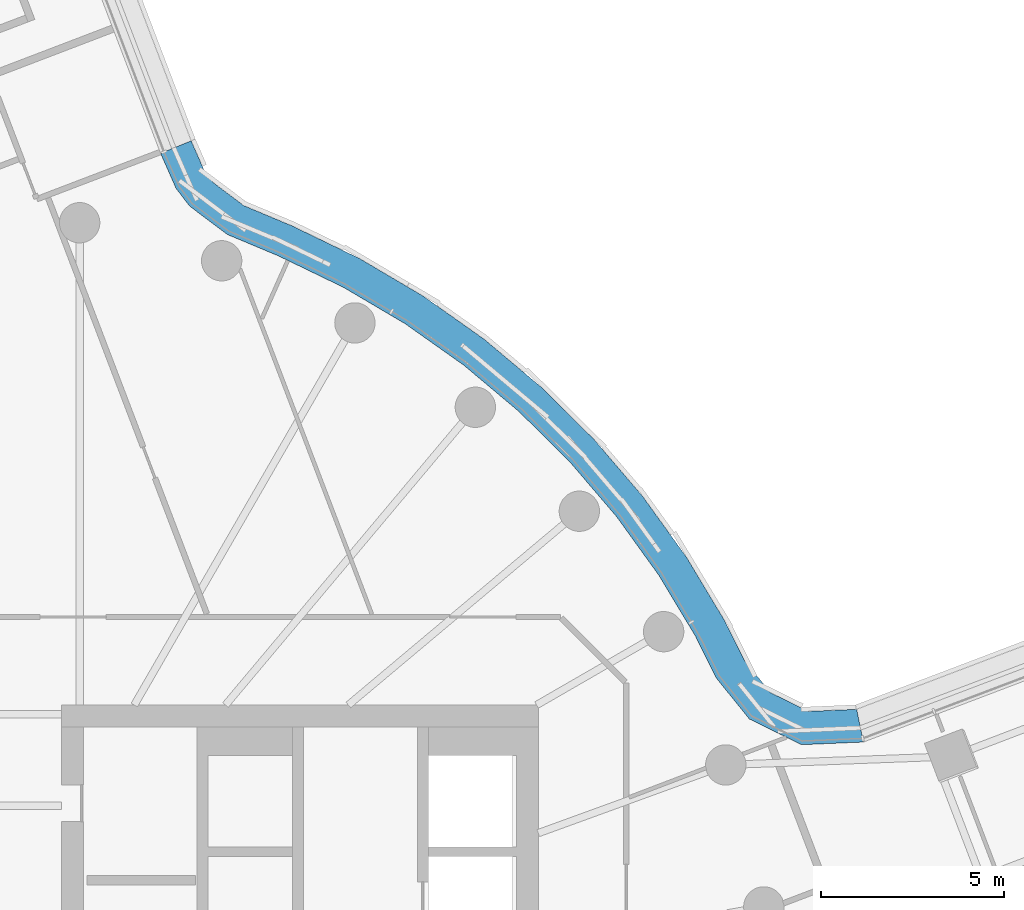
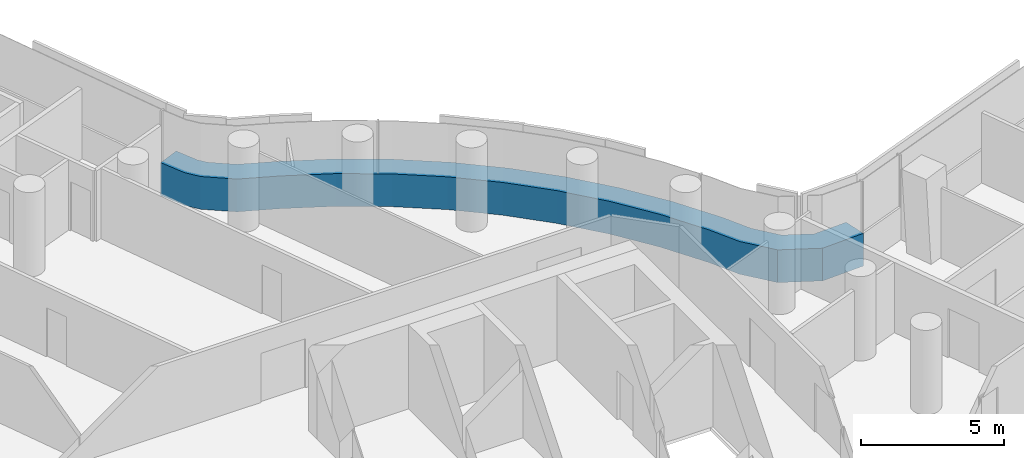
# One storey, part 16 of 32: 1 member, 1 element without a shape of its own.
"""IFC4 building model written with IfcOpenShell, lengths in metres."""

from ifc_helpers import new_model, si_unit, direction, frame, origin, place, context, subcontext, project, spatial, polyline, outline, extrude, material, layer, layer_set, type_object, element, aggregate, save


model = new_model("IFC4")

# Units and contexts
model_context = context("Model", 3, precision=1e-05, world=origin(), true_north=direction((0.0, 1.0)))
body_context = subcontext(model_context, "Body", "Model", "MODEL_VIEW")
ifc_project = project(units=[si_unit("LENGTHUNIT", "METRE"), si_unit("AREAUNIT", "SQUARE_METRE"), si_unit("VOLUMEUNIT", "CUBIC_METRE"), si_unit("PLANEANGLEUNIT", "RADIAN"), si_unit("MASSUNIT", "GRAM", prefix="KILO")], contexts=[model_context])

# Site, building, storey
site_placement = place(None, origin())
site = spatial("IfcSite", under=ifc_project, at=site_placement, CompositionType="ELEMENT")
building_placement = place(site_placement, origin())
building = spatial("IfcBuilding", under=site, at=building_placement, Name="Tamarind Cross Interchange Tower", CompositionType="ELEMENT")
storey_placement = place(building_placement, frame((0.0, 0.0, 109.75)))
storey = spatial("IfcBuildingStorey", under=building, at=storey_placement, Name="L26", CompositionType="ELEMENT", Elevation=109.75)

# Curtain wall, member
ifc_material_1 = material(Name="Aluminium 6063-T6", Category="aluminium")
ifc_layer = layer(ifc_material_1, 0.159912109375)
ifc_layer_set = layer_set([ifc_layer], Name="Aluminium 6063-T6")
curtain_wall_type = type_object("IfcCurtainWallType", Name="Office curtain wall, 9.0 m bays", PredefinedType="NOTDEFINED", material=ifc_layer_set)
curtain_wall_placement = place(storey_placement, origin())
curtain_wall = element("IfcCurtainWall", 1, at=curtain_wall_placement, inside=storey, type_object=curtain_wall_type, Name="CWS-L26-10", PredefinedType="NOTDEFINED")
ifc_material_2 = material(Name="Aluminium and insulated spandrel panel", Category="aluminium")
member_type = type_object("IfcMemberType", Name="Floor-edge blade transom", PredefinedType="USERDEFINED", material=ifc_material_2)
member_placement = place(storey_placement, origin())
member = element("IfcMember", 2, at=member_placement, type_object=member_type, Name="CWT-L26-10", ObjectType="TRANSOM", PredefinedType="USERDEFINED", context=body_context, shape_type="SweptSolid", body=[
    extrude(outline(polyline([(25.366455078125, 8.4892578125), (23.677734375, 8.417236328125), (22.2568359375, 9.116455078125), (21.3544921875, 10.234619140625), (20.791259765625, 11.3671875), (19.78125, 13.045654296875), (18.636474609375, 14.634521484375), (17.3642578125, 16.12353515625), (15.973388671875, 17.50244140625), (14.4736328125, 18.76171875), (12.874755859375, 19.892822265625), (11.188232421875, 20.88818359375), (9.421142578125, 21.74267578125), (8.0185546875, 22.330322265625), (6.9892578125, 23.1064453125), (6.62109375, 23.590087890625), (6.20068359375, 24.543212890625), (7.033447265625, 24.885498046875), (7.401611328125, 24.050537109375), (7.6298828125, 23.75048828125), (8.470458984375, 23.116943359375), (9.791259765625, 22.563232421875), (11.613525390625, 21.68212890625), (13.3642578125, 20.64892578125), (15.023681640625, 19.474853515625), (16.580810546875, 18.167724609375), (18.0244140625, 16.736572265625), (19.344970703125, 15.19091796875), (20.533203125, 13.54150390625), (21.5810546875, 11.80029296875), (22.116455078125, 10.723388671875), (22.83251953125, 9.836181640625), (23.869140625, 9.326171875), (25.182861328125, 9.38232421875), (25.366455078125, 8.4892578125)])), origin(), (0.0, 0.0, 1.0), 1.39990234375),
])
aggregate(curtain_wall, [member])

save(model, "model.ifc")
